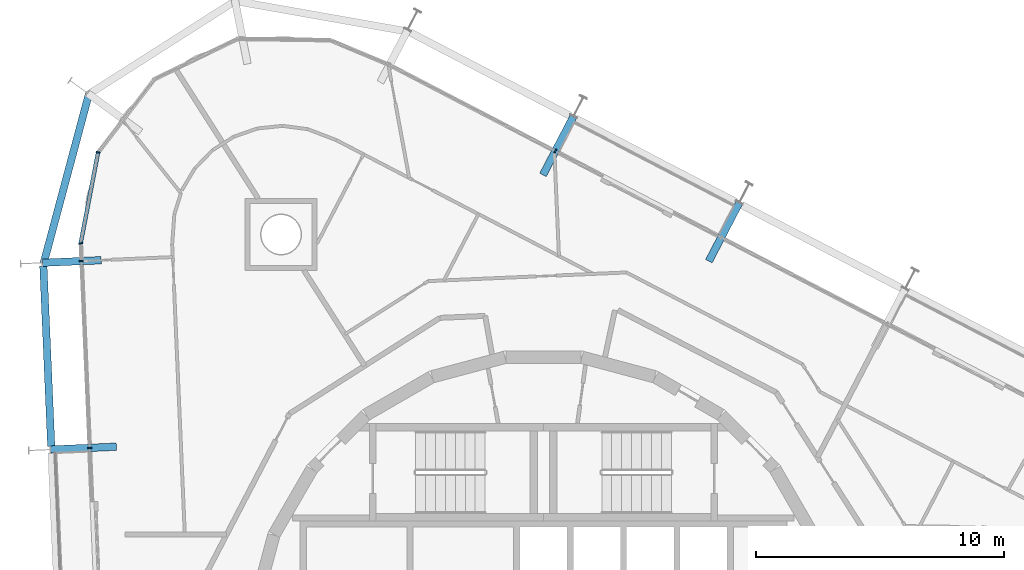
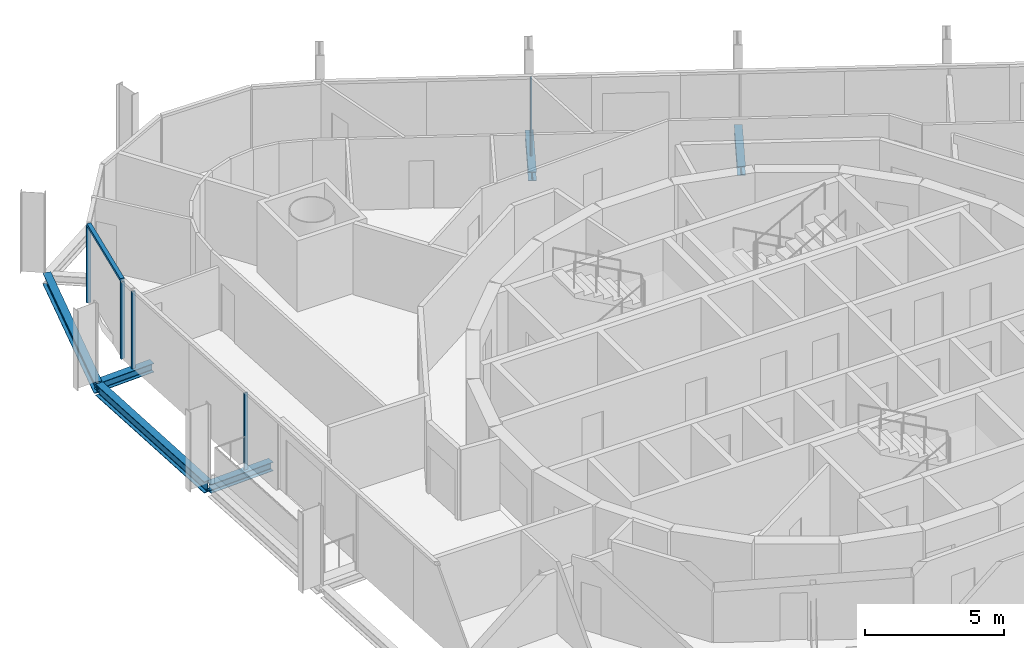
# One storey, part 6 of 17: 6 beams, 6 members, 3 elements without a shape of their own.
"""IFC4 building model written with IfcOpenShell, lengths in metres."""

from ifc_helpers import new_model, si_unit, direction, frame, origin, origin_2d, place, context, subcontext, project, spatial, rectangle, i_section, extrude, material, layer, layer_set, material_profile, profile_set, type_object, element, aggregate, save


model = new_model("IFC4")

# Units and contexts
model_context = context("Model", 3, precision=1e-05, world=origin(), true_north=direction((0.0, 1.0)))
body_context = subcontext(model_context, "Body", "Model", "MODEL_VIEW")
ifc_project = project(units=[si_unit("LENGTHUNIT", "METRE"), si_unit("AREAUNIT", "SQUARE_METRE"), si_unit("VOLUMEUNIT", "CUBIC_METRE"), si_unit("PLANEANGLEUNIT", "RADIAN"), si_unit("MASSUNIT", "GRAM", prefix="KILO")], contexts=[model_context])

# Site, building, storey
site_placement = place(None, origin())
site = spatial("IfcSite", under=ifc_project, at=site_placement, CompositionType="ELEMENT")
building_placement = place(site_placement, origin())
building = spatial("IfcBuilding", under=site, at=building_placement, Name="Spindle Arch Residences", CompositionType="ELEMENT")
storey_placement = place(building_placement, frame((0.0, 0.0, 237.199951171875)))
storey = spatial("IfcBuildingStorey", under=building, at=storey_placement, Name="L60", CompositionType="ELEMENT", Elevation=237.199951171875)

# Curtain wall, member
ifc_material_1 = material(Name="Aluminium bronze unitised frame with tinted glass", Category="aluminium")
ifc_layer_1 = layer(ifc_material_1, 0.159912109375)
ifc_layer_set_1 = layer_set([ifc_layer_1], Name="CW-C typical residential unitised wall")
curtain_wall_type_1 = type_object("IfcCurtainWallType", Name="CW-C typical residential unitised wall", PredefinedType="NOTDEFINED", material=ifc_layer_set_1)
curtain_wall_1_placement = place(storey_placement, origin())
curtain_wall_1 = element("IfcCurtainWall", 1, at=curtain_wall_1_placement, inside=storey, type_object=curtain_wall_type_1, Name="CW-C L60 run 2", PredefinedType="NOTDEFINED")
ifc_material_2 = material(Name="Aluminium bronze anodised mullion", Category="aluminium")
ifc_material_profile_1 = material_profile(ifc_material_2, rectangle(XDim=0.159912109375, YDim=0.06005859375, at=origin_2d()), Name="MU 60x160")
ifc_profile_set_1 = profile_set([ifc_material_profile_1], Name="Aluminium bronze anodised mullion")
member_type_1 = type_object("IfcMemberType", Name="Bronze mullion 60x160", PredefinedType="MULLION", material=ifc_profile_set_1)
member_1_placement = place(storey_placement, frame((0.4794921875, 19.94677734375, -0.3798828125), z_axis=(0.0, 0.0, 1.0), x_axis=(-0.461748613235, -0.887010833178, 0.0)))
member_1 = element("IfcMember", 2, at=member_1_placement, type_object=member_type_1, Name="CW-C mullion 08", PredefinedType="MULLION", context=body_context, shape_type="SweptSolid", body=[
    extrude(rectangle(XDim=0.159912109375, YDim=0.06005859375, at=origin_2d()), origin(), (0.0, 0.0, 1.0), 3.3798828125),
])
aggregate(curtain_wall_1, [member_1])

# Curtain wall, members
ifc_material_3 = material(Name="Aluminium bronze unitised frame with tinted glass", Category="aluminium")
ifc_layer_2 = layer(ifc_material_3, 0.159912109375)
ifc_layer_set_2 = layer_set([ifc_layer_2], Name="CW-D corner wall on the fillet arcs")
curtain_wall_type_2 = type_object("IfcCurtainWallType", Name="CW-D corner wall on the fillet arcs", PredefinedType="NOTDEFINED", material=ifc_layer_set_2)
curtain_wall_2_placement = place(storey_placement, origin())
curtain_wall_2 = element("IfcCurtainWall", 3, at=curtain_wall_2_placement, inside=storey, type_object=curtain_wall_type_2, Name="CW-D L60 run 3", PredefinedType="NOTDEFINED")
member_2_placement = place(storey_placement, frame((-17.93994140625, 19.896240234375, -0.3798828125), z_axis=(0.0, 0.0, 1.0), x_axis=(0.982178070104, -0.187952756314, 0.0)))
member_2 = element("IfcMember", 4, at=member_2_placement, type_object=member_type_1, Name="CW-D mullion 04", PredefinedType="MULLION", context=body_context, shape_type="SweptSolid", body=[
    extrude(rectangle(XDim=0.159912109375, YDim=0.06005859375, at=origin_2d()), origin(), (0.0, 0.0, 1.0), 3.3798828125),
])
member_3_placement = place(storey_placement, frame((-18.640380859375, 16.236083984375, -0.3798828125), z_axis=(0.0, 0.0, 1.0), x_axis=(0.999048221582, 0.043619387365, 0.0)))
member_3 = element("IfcMember", 5, at=member_3_placement, type_object=member_type_1, Name="CW-D mullion 05", PredefinedType="MULLION", context=body_context, shape_type="SweptSolid", body=[
    extrude(rectangle(XDim=0.159912109375, YDim=0.06005859375, at=origin_2d()), origin(), (0.0, 0.0, 1.0), 3.3798828125),
])

curtain_wall_3_placement = place(storey_placement, origin())
curtain_wall_3 = element("IfcCurtainWall", 6, at=curtain_wall_3_placement, inside=storey, type_object=curtain_wall_type_1, Name="CW-C L60 run 4", PredefinedType="NOTDEFINED")
member_4_placement = place(storey_placement, frame((-18.60888671875, 15.518310546875, -0.3798828125), z_axis=(0.0, 0.0, 1.0), x_axis=(0.999048221582, 0.043619387365, 0.0)))
member_4 = element("IfcMember", 7, at=member_4_placement, type_object=member_type_1, Name="CW-C mullion 12", PredefinedType="MULLION", context=body_context, shape_type="SweptSolid", body=[
    extrude(rectangle(XDim=0.159912109375, YDim=0.06005859375, at=origin_2d()), origin(), (0.0, 0.0, 1.0), 3.3798828125),
])
member_5_placement = place(storey_placement, frame((-18.280517578125, 7.995361328125, -0.3798828125), z_axis=(0.0, 0.0, 1.0), x_axis=(0.999048221582, 0.043619387365, 0.0)))
member_5 = element("IfcMember", 8, at=member_5_placement, type_object=member_type_1, Name="CW-C mullion 13", PredefinedType="MULLION", context=body_context, shape_type="SweptSolid", body=[
    extrude(rectangle(XDim=0.159912109375, YDim=0.06005859375, at=origin_2d()), origin(), (0.0, 0.0, 1.0), 3.3798828125),
])
aggregate(curtain_wall_3, [member_4, member_5])

# Member
ifc_material_4 = material(Name="Aluminium bronze anodised transom", Category="aluminium")
ifc_material_profile_2 = material_profile(ifc_material_4, rectangle(XDim=0.159912109375, YDim=0.1201171875, at=origin_2d()), Name="TR 120x160")
ifc_profile_set_2 = profile_set([ifc_material_profile_2], Name="Aluminium bronze anodised transom")
member_type_2 = type_object("IfcMemberType", Name="Bronze transom 120x160", PredefinedType="USERDEFINED", material=ifc_profile_set_2)
member_6_placement = place(storey_placement, frame((-17.945556640625, 19.866943359375, 3.06005859375), z_axis=(-0.187953386096, -0.982177949587, 0.0), x_axis=(0.982177949587, -0.187953386096, 0.0)))
member_6 = element("IfcMember", 9, at=member_6_placement, type_object=member_type_2, Name="CW-D transom 04", ObjectType="TRANSOM", PredefinedType="USERDEFINED", context=body_context, shape_type="SweptSolid", body=[
    extrude(rectangle(XDim=0.159912109375, YDim=0.1201171875, at=origin_2d()), origin(), (0.0, 0.0, 1.0), 3.6669921875),
])

aggregate(curtain_wall_2, [member_2, member_6, member_3])

# Beams
ifc_material_5 = material(Name="Steel S460ML, intumescent coating R 120", Category="steel")
ifc_material_profile_3 = material_profile(ifc_material_5, i_section(OverallWidth=0.300048828125, OverallDepth=0.5, WebThickness=0.014404296875, FlangeThickness=0.028076171875, FilletRadius=0.027099609375, at=origin_2d()), Name="HEB 500")
ifc_profile_set_3 = profile_set([ifc_material_profile_3], Name="Steel S460ML, intumescent coating R 120")
beam_type_1 = type_object("IfcBeamType", Name="Exoskeleton edge beam HEB 500", PredefinedType="BEAM", material=ifc_profile_set_3)
beam_1_placement = place(storey_placement, frame((-18.298583984375, 22.28076171875, -0.6298828125), z_axis=(-0.25832557076, -0.966057917255, 0.0), x_axis=(0.966057917255, -0.25832557076, 0.0)))
element("IfcBeam", 10, at=beam_1_placement, inside=storey, type_object=beam_type_1, Name="Exoskeleton edge beam 12", PredefinedType="BEAM", context=body_context, shape_type="SweptSolid", body=[
    extrude(i_section(OverallWidth=0.300048828125, OverallDepth=0.5, WebThickness=0.014404296875, FlangeThickness=0.028076171875, FilletRadius=0.027099609375, at=origin_2d()), origin(), (0.0, 0.0, 1.0), 7.105224609375),
])
beam_2_placement = place(storey_placement, frame((-20.141845703125, 15.3212890625, -0.6298828125), z_axis=(0.043622301665, -0.999048094337, 0.0), x_axis=(0.999048094337, 0.043622301665, 0.0)))
element("IfcBeam", 11, at=beam_2_placement, inside=storey, type_object=beam_type_1, Name="Exoskeleton edge beam 13", PredefinedType="BEAM", context=body_context, shape_type="SweptSolid", body=[
    extrude(i_section(OverallWidth=0.300048828125, OverallDepth=0.5, WebThickness=0.014404296875, FlangeThickness=0.028076171875, FilletRadius=0.027099609375, at=origin_2d()), origin(), (0.0, 0.0, 1.0), 7.27001953125),
])
ifc_material_6 = material(Name="Steel S460ML, intumescent coating R 120", Category="steel")
ifc_material_profile_4 = material_profile(ifc_material_6, i_section(OverallWidth=0.300048828125, OverallDepth=0.389892578125, WebThickness=0.010986328125, FlangeThickness=0.01904296875, FilletRadius=0.027099609375, at=origin_2d()), Name="HEA 400")
ifc_profile_set_4 = profile_set([ifc_material_profile_4], Name="Steel S460ML, intumescent coating R 120")
beam_type_2 = type_object("IfcBeamType", Name="Floor outrigger HEA 400", PredefinedType="BEAM", material=ifc_profile_set_4)
for number, where, z_axis, x_axis, name in (
    (12, (7.883544921875, 17.8623046875, -0.574951171875), (-0.461747195222, -0.887011571348, 0.0), (0.887011571348, -0.461747195222, 0.0), "Floor outrigger 8"),
    (13, (1.204345703125, 21.33935546875, -0.574951171875), (-0.461747195222, -0.887011571348, 0.0), (0.887011571348, -0.461747195222, 0.0), "Floor outrigger 9"),
):
    element("IfcBeam", number, at=place(storey_placement, frame(where, z_axis=z_axis, x_axis=x_axis)), inside=storey, type_object=beam_type_2, Name=name, PredefinedType="BEAM", context=body_context, shape_type="SweptSolid", body=[
        extrude(i_section(OverallWidth=0.300048828125, OverallDepth=0.389892578125, WebThickness=0.010986328125, FlangeThickness=0.01904296875, FilletRadius=0.027099609375, at=origin_2d()), origin(), (0.0, 0.0, 1.0), 2.64990234375),
    ])
beam_3_placement = place(storey_placement, frame((-20.177490234375, 15.44970703125, -0.574951171875), z_axis=(0.999047575201, 0.043634189397, 0.0), x_axis=(-0.043634189397, 0.999047575201, 0.0)))
element("IfcBeam", 14, at=beam_3_placement, inside=storey, type_object=beam_type_2, Name="Floor outrigger 13", PredefinedType="BEAM", context=body_context, shape_type="SweptSolid", body=[
    extrude(i_section(OverallWidth=0.300048828125, OverallDepth=0.389892578125, WebThickness=0.010986328125, FlangeThickness=0.01904296875, FilletRadius=0.027099609375, at=origin_2d()), origin(), (0.0, 0.0, 1.0), 2.36669921875),
])
beam_4_placement = place(storey_placement, frame((-19.84912109375, 7.9267578125, -0.574951171875), z_axis=(0.999046049411, 0.043669109869, 0.0), x_axis=(-0.043669109869, 0.999046049411, 0.0)))
element("IfcBeam", 15, at=beam_4_placement, inside=storey, type_object=beam_type_2, Name="Floor outrigger 14", PredefinedType="BEAM", context=body_context, shape_type="SweptSolid", body=[
    extrude(i_section(OverallWidth=0.300048828125, OverallDepth=0.389892578125, WebThickness=0.010986328125, FlangeThickness=0.01904296875, FilletRadius=0.027099609375, at=origin_2d()), origin(), (0.0, 0.0, 1.0), 2.64990234375),
])

save(model, "model.ifc")
